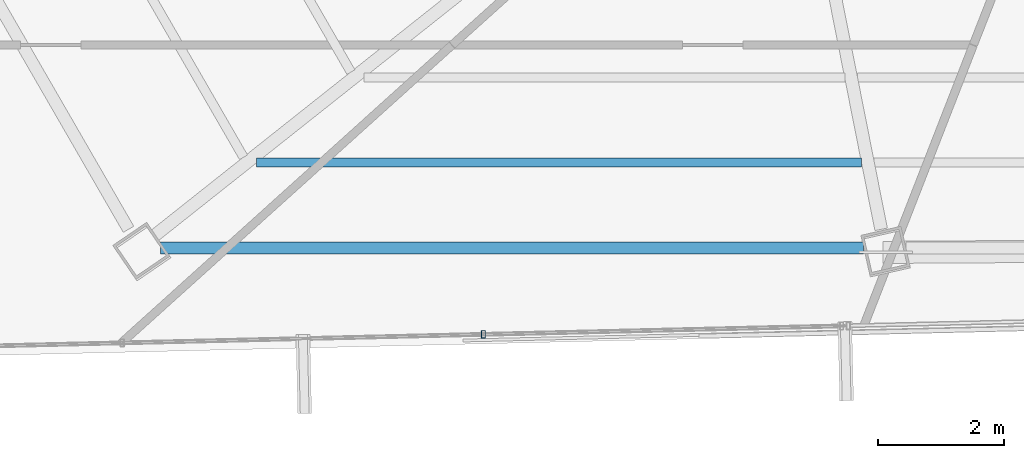
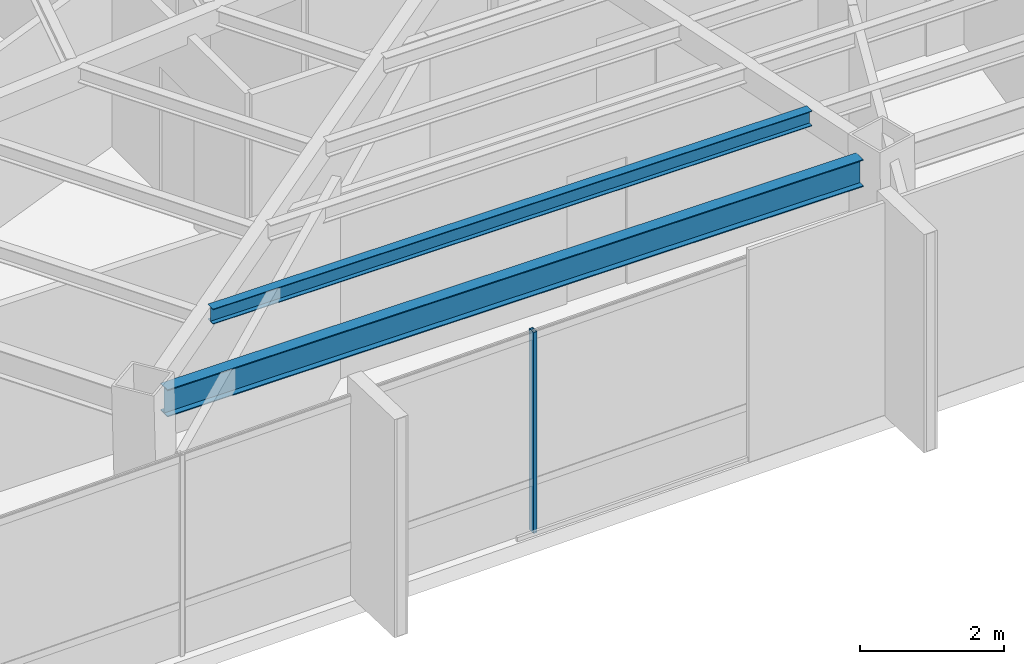
# One storey, part 5 of 46: 2 beams, 1 member, 1 element without a shape of its own.
"""IFC4 building model written with IfcOpenShell, lengths in metres."""

from ifc_helpers import new_model, si_unit, direction, frame, origin, origin_2d, place, context, subcontext, project, spatial, hollow_rectangle, i_section, extrude, source, transform, mapped, material, material_profile, profile_set, type_object, type_shapes, element, aggregate, save


model = new_model("IFC4")

# Units and contexts
model_context = context("Model", 3, precision=1e-05, world=origin(), true_north=direction((0.0, 1.0)))
body_context = subcontext(model_context, "Body", "Model", "MODEL_VIEW")
ifc_project = project(units=[si_unit("LENGTHUNIT", "METRE"), si_unit("AREAUNIT", "SQUARE_METRE"), si_unit("VOLUMEUNIT", "CUBIC_METRE"), si_unit("PLANEANGLEUNIT", "RADIAN"), si_unit("MASSUNIT", "GRAM", prefix="KILO")], contexts=[model_context])

# Site, building, storey
site_placement = place(None, origin())
site = spatial("IfcSite", under=ifc_project, at=site_placement, CompositionType="ELEMENT")
building_placement = place(site_placement, origin())
building = spatial("IfcBuilding", under=site, at=building_placement, Name="Caelisora Broadcast Tower", CompositionType="ELEMENT")
storey_placement = place(building_placement, frame((0.0, 0.0, 251.75)))
storey = spatial("IfcBuildingStorey", under=building, at=storey_placement, Name="L66", CompositionType="ELEMENT", Elevation=251.75)

# Beams
ifc_material_1 = material(Name="Steel Grade 350 (AS/NZS 3679.1)", Category="steel")
ifc_material_profile_1 = material_profile(ifc_material_1, i_section(OverallWidth=0.19091796875, OverallDepth=0.46044921875, WebThickness=0.010009765625, FlangeThickness=0.01611328125, at=origin_2d()), Name="Steel Grade 350 (AS/NZS 3679.1)")
ifc_profile_set_1 = profile_set([ifc_material_profile_1], Name="Steel Grade 350 (AS/NZS 3679.1)")
beam_type_1 = type_object("IfcBeamType", Name="PG06", PredefinedType="BEAM", material=ifc_profile_set_1)
shared_shape_1 = source(origin(), body_context, "Body", "SweptSolid", [
    extrude(i_section(OverallWidth=0.19091796875, OverallDepth=0.46044921875, WebThickness=0.010009765625, FlangeThickness=0.01611328125, at=origin_2d()), origin(), (0.0, 0.0, 1.0), 11.124267578125),
])
type_shapes(beam_type_1, [shared_shape_1])
beam_1_placement = place(storey_placement, frame((20.6376953125, 9.31201171875, 3.169921875), z_axis=(1.0, 0.0, 0.0), x_axis=(0.0, 1.0, 0.0)))
element("IfcBeam", 1, at=beam_1_placement, inside=storey, type_object=beam_type_1, Name="L66 beam PG06", PredefinedType="BEAM", context=body_context, shape_type="MappedRepresentation", body=[
    mapped(shared_shape_1, transform((0.0, 0.0, 0.0), scale=1.0)),
])
ifc_material_profile_2 = material_profile(ifc_material_1, i_section(OverallWidth=0.14599609375, OverallDepth=0.256103515625, WebThickness=0.00634765625, FlangeThickness=0.010986328125, at=origin_2d()), Name="Steel Grade 350 (AS/NZS 3679.1)")
ifc_profile_set_2 = profile_set([ifc_material_profile_2], Name="Steel Grade 350 (AS/NZS 3679.1)")
beam_type_2 = type_object("IfcBeamType", Name="SB04", PredefinedType="JOIST", material=ifc_profile_set_2)
shared_shape_2 = source(origin(), body_context, "Body", "SweptSolid", [
    extrude(i_section(OverallWidth=0.14599609375, OverallDepth=0.256103515625, WebThickness=0.00634765625, FlangeThickness=0.010986328125, at=origin_2d()), origin(), (0.0, 0.0, 1.0), 9.57666015625),
])
type_shapes(beam_type_2, [shared_shape_2])
beam_2_placement = place(storey_placement, frame((22.15771484375, 10.66015625, 3.27197265625), z_axis=(1.0, 0.0, 0.0), x_axis=(0.0, 1.0, 0.0)))
element("IfcBeam", 2, at=beam_2_placement, inside=storey, type_object=beam_type_2, Name="L66 beam SB04", PredefinedType="JOIST", context=body_context, shape_type="MappedRepresentation", body=[
    mapped(shared_shape_2, transform((0.0, 0.0, 0.0), scale=1.0)),
])

# Curtain wall, member
ifc_material_2 = material(Name="Unitised Aluminium and Low-E Glass Curtain Wall", Category="glass")
curtain_wall_type = type_object("IfcCurtainWallType", Name="CW-Z5", PredefinedType="NOTDEFINED", material=ifc_material_2)
curtain_wall_placement = place(storey_placement, origin())
curtain_wall = element("IfcCurtainWall", 3, at=curtain_wall_placement, inside=storey, type_object=curtain_wall_type, Name="L66 curtain wall CW-Z5", PredefinedType="NOTDEFINED")
ifc_material_3 = material(Name="Aluminium 6063-T6 Anodised Terracotta Bronze", Category="aluminium")
ifc_material_profile_3 = material_profile(ifc_material_3, hollow_rectangle(XDim=0.06005859375, YDim=0.1201171875, WallThickness=0.0029296875, at=origin_2d()), Name="Aluminium 6063-T6 Anodised Terracotta Bronze")
ifc_profile_set_3 = profile_set([ifc_material_profile_3], Name="Aluminium 6063-T6 Anodised Terracotta Bronze")
member_type = type_object("IfcMemberType", Name="CWM-04", PredefinedType="MULLION", material=ifc_profile_set_3)
shared_shape_3 = source(origin(), body_context, "Body", "SweptSolid", [
    extrude(hollow_rectangle(XDim=0.06005859375, YDim=0.1201171875, WallThickness=0.0029296875, at=origin_2d()), origin(), (0.0, 0.0, 1.0), 3.39990234375),
])
type_shapes(member_type, [shared_shape_3])
member_placement = place(storey_placement, frame((25.7470703125, 7.942138671875, 0.0), z_axis=(0.0, 0.0, 1.0), x_axis=(1.0, 0.0, 0.0)))
member = element("IfcMember", 4, at=member_placement, type_object=member_type, Name="L66-CW-B07 mullion #1", PredefinedType="MULLION", context=body_context, shape_type="MappedRepresentation", body=[
    mapped(shared_shape_3, transform((0.0, 0.0, 0.0), scale=1.0)),
])
aggregate(curtain_wall, [member])

save(model, "model.ifc")
